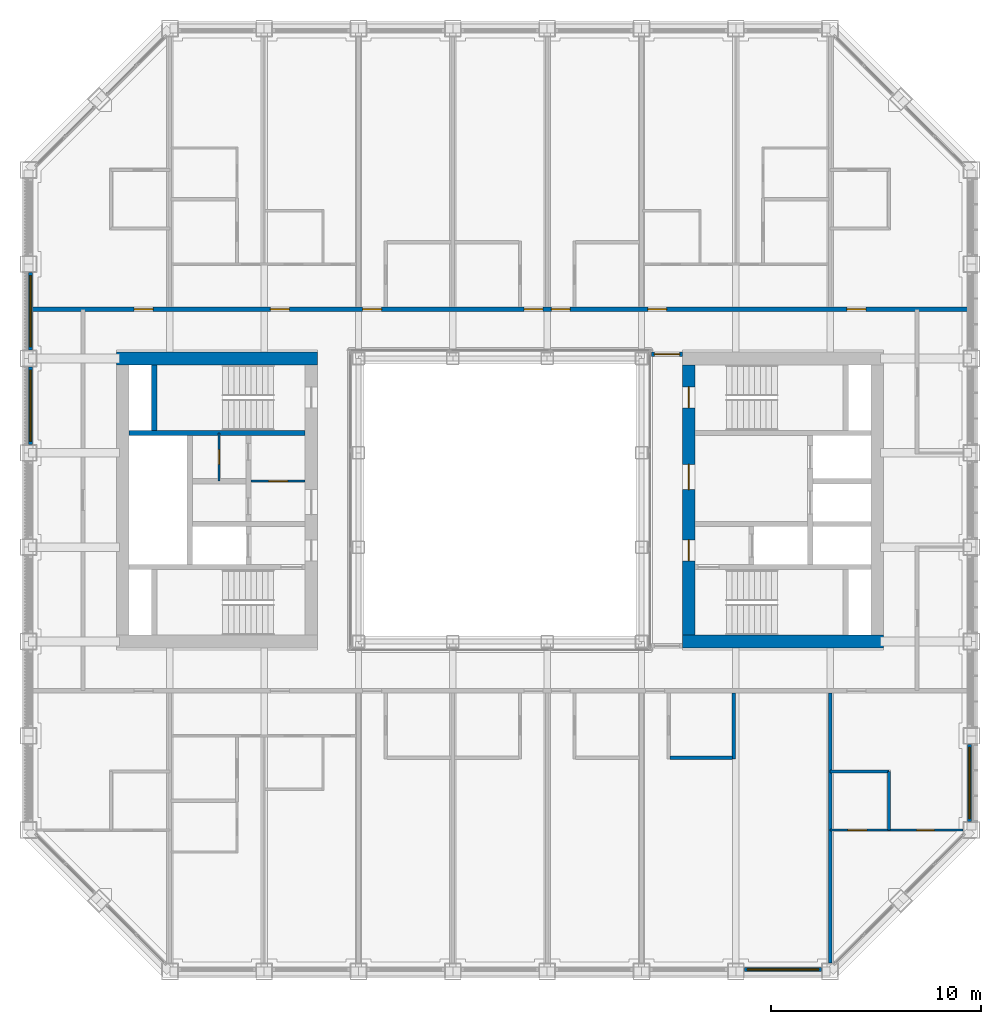
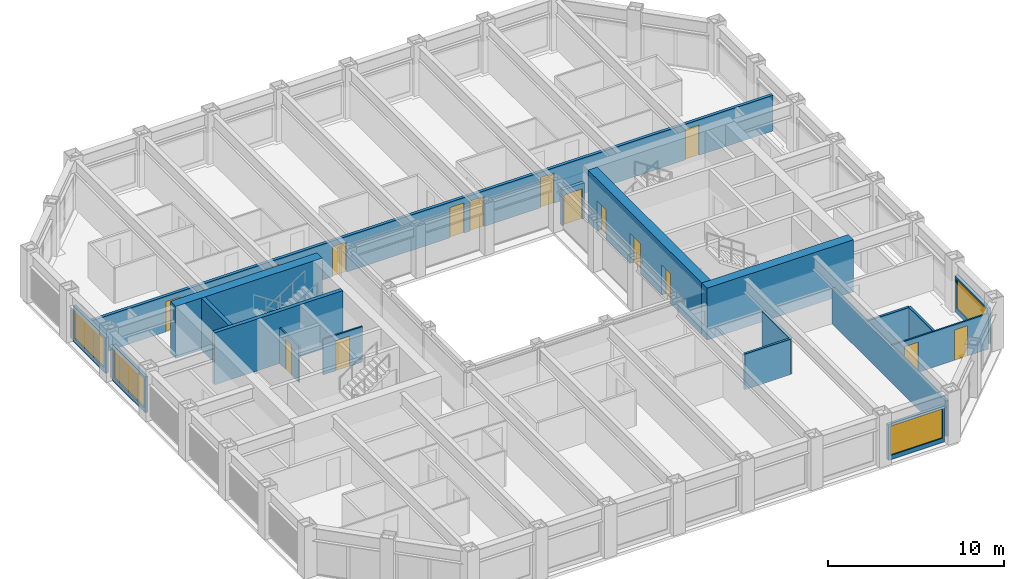
# One storey, part 12 of 18: 19 walls, 15 doors, 4 windows, 19 openings.
"""IFC4 building model written with IfcOpenShell, lengths in metres."""

from ifc_helpers import new_model, si_unit, direction, frame, frame_2d, origin, place, context, subcontext, project, spatial, rectangle, extrude, material, layer, layer_set, type_object, element, fill, save


model = new_model("IFC4")

# Units and contexts
model_context = context("Model", 3, precision=1e-05, world=origin(), true_north=direction((0.0, 1.0)))
body_context = subcontext(model_context, "Body", "Model", "MODEL_VIEW")
ifc_project = project(units=[si_unit("LENGTHUNIT", "METRE"), si_unit("AREAUNIT", "SQUARE_METRE"), si_unit("VOLUMEUNIT", "CUBIC_METRE"), si_unit("PLANEANGLEUNIT", "RADIAN"), si_unit("MASSUNIT", "GRAM", prefix="KILO")], contexts=[model_context])

# Site, building, storey
site_placement = place(None, origin())
site = spatial("IfcSite", under=ifc_project, at=site_placement, CompositionType="ELEMENT")
building_placement = place(site_placement, origin())
building = spatial("IfcBuilding", under=site, at=building_placement, Name="Msasa Ring Tower", CompositionType="ELEMENT")
storey_placement = place(building_placement, frame((0.0, 0.0, 183.199951171875)))
storey = spatial("IfcBuildingStorey", under=building, at=storey_placement, Name="L48", CompositionType="ELEMENT", Elevation=183.199951171875)

# Wall
ifc_material_1 = material(Name="Concrete C60/75", Category="concrete")
ifc_layer_1 = layer(ifc_material_1, 0.60009765625)
ifc_layer_set_1 = layer_set([ifc_layer_1], Name="CW2 CORE WALL 600")
wall_type_1 = type_object("IfcWallType", Name="CW2 CORE WALL 600", PredefinedType="SHEAR", material=ifc_layer_set_1)
wall_1_placement = place(storey_placement, frame((8.699951171875, -6.75, 0.0), z_axis=(0.0, 0.0, 1.0), x_axis=(1.0, 0.0, 0.0)))
element("IfcWall", 1, at=wall_1_placement, inside=storey, type_object=wall_type_1, Name="E core wall S L48", PredefinedType="SHEAR", context=body_context, shape_type="SweptSolid", body=[
    extrude(rectangle(XDim=9.60009765625, YDim=0.60009765625, at=frame_2d((4.800048828125, 0.0))), origin(), (0.0, 0.0, 1.0), 3.60009765625),
])

# Wall, openings, doors
wall_2_placement = place(storey_placement, frame((9.0, -6.449951171875, 0.0), z_axis=(0.0, 0.0, 1.0), x_axis=(0.0, 1.0, 0.0)))
wall_2 = element("IfcWall", 2, at=wall_2_placement, inside=storey, type_object=wall_type_1, Name="E core wall W L48", PredefinedType="SHEAR", context=body_context, shape_type="SweptSolid", body=[
    extrude(rectangle(XDim=12.89990234375, YDim=0.60009765625, at=frame_2d((6.449951171875, 0.0))), origin(), (0.0, 0.0, 1.0), 3.60009765625),
])
opening_1_placement = place(wall_2_placement, frame((3.550048828125, 0.0, 0.0)))
opening_1 = element("IfcOpeningElement", 3, at=opening_1_placement, cuts=wall_2, Name="Opening HG-035", PredefinedType="OPENING", context=body_context, shape_type="SweptSolid", body=[
    extrude(rectangle(XDim=1.0, YDim=2.10009765625, at=frame_2d((0.5, 1.050048828125))), frame((0.0, 0.31005859375, 0.0), z_axis=(0.0, -1.0, 0.0), x_axis=(1.0, 0.0, 0.0)), (0.0, 0.0, 1.0), 0.6201171875),
])
opening_2_placement = place(wall_2_placement, frame((6.949951171875, 0.0, 0.0)))
opening_2 = element("IfcOpeningElement", 4, at=opening_2_placement, cuts=wall_2, Name="Opening HG-029", PredefinedType="OPENING", context=body_context, shape_type="SweptSolid", body=[
    extrude(rectangle(XDim=1.199951171875, YDim=2.10009765625, at=frame_2d((0.60009765625, 1.050048828125))), frame((0.0, 0.31005859375, 0.0), z_axis=(0.0, -1.0, 0.0), x_axis=(1.0, 0.0, 0.0)), (0.0, 0.0, 1.0), 0.6201171875),
])
opening_3_placement = place(wall_2_placement, frame((10.85009765625, 0.0, 0.0)))
opening_3 = element("IfcOpeningElement", 5, at=opening_3_placement, cuts=wall_2, Name="Opening HG-026", PredefinedType="OPENING", context=body_context, shape_type="SweptSolid", body=[
    extrude(rectangle(XDim=1.0, YDim=2.10009765625, at=frame_2d((0.5, 1.050048828125))), frame((0.0, 0.31005859375, 0.0), z_axis=(0.0, -1.0, 0.0), x_axis=(1.0, 0.0, 0.0)), (0.0, 0.0, 1.0), 0.6201171875),
])
ifc_material_2 = material(Name="Timber door leaf in a steel frame", Category="steel")
door_type_1 = type_object("IfcDoorType", Name="D4 LOBBY DOOR 1000x2100", OperationType="SINGLE_SWING_LEFT", PredefinedType="DOOR", material=ifc_material_2)
door_1_placement = place(opening_1_placement, origin())
door_1 = element("IfcDoor", 6, at=door_1_placement, inside=storey, type_object=door_type_1, Name="Door L48-EFFL", OperationType="SINGLE_SWING_LEFT", OverallHeight=2.10009765625, OverallWidth=1.0, PredefinedType="DOOR", context=body_context, shape_type="SweptSolid", body=[
    extrude(rectangle(XDim=1.0, YDim=2.10009765625, at=frame_2d((0.5, 1.050048828125))), frame((0.0, 0.02490234375, 0.0), z_axis=(0.0, -1.0, 0.0), x_axis=(1.0, 0.0, 0.0)), (0.0, 0.0, 1.0), 0.050048828125),
])
fill(opening_1, door_1)
ifc_material_3 = material(Name="Timber door leaf in a steel frame", Category="steel")
door_type_2 = type_object("IfcDoorType", Name="D5 WIDE LOBBY DOOR 1200x2100", OperationType="SINGLE_SWING_LEFT", PredefinedType="DOOR", material=ifc_material_3)
door_2_placement = place(opening_2_placement, origin())
door_2 = element("IfcDoor", 7, at=door_2_placement, inside=storey, type_object=door_type_2, Name="Door L48-ELL", OperationType="SINGLE_SWING_RIGHT", OverallHeight=2.10009765625, OverallWidth=1.199951171875, PredefinedType="DOOR", context=body_context, shape_type="SweptSolid", body=[
    extrude(rectangle(XDim=1.199951171875, YDim=2.10009765625, at=frame_2d((0.60009765625, 1.050048828125))), frame((0.0, 0.02490234375, 0.0), z_axis=(0.0, -1.0, 0.0), x_axis=(1.0, 0.0, 0.0)), (0.0, 0.0, 1.0), 0.050048828125),
])
fill(opening_2, door_2)
ifc_material_4 = material(Name="Timber door leaf in a steel frame", Category="steel")
door_type_3 = type_object("IfcDoorType", Name="D6 STAIR DOOR 1000x2100", OperationType="SINGLE_SWING_LEFT", PredefinedType="DOOR", material=ifc_material_4)
door_3_placement = place(opening_3_placement, origin())
door_3 = element("IfcDoor", 8, at=door_3_placement, inside=storey, type_object=door_type_3, Name="Door L48-ESTB", OperationType="SINGLE_SWING_RIGHT", OverallHeight=2.10009765625, OverallWidth=1.0, PredefinedType="DOOR", context=body_context, shape_type="SweptSolid", body=[
    extrude(rectangle(XDim=1.0, YDim=2.10009765625, at=frame_2d((0.5, 1.050048828125))), frame((0.0, 0.02490234375, 0.0), z_axis=(0.0, -1.0, 0.0), x_axis=(1.0, 0.0, 0.0)), (0.0, 0.0, 1.0), 0.050048828125),
])
fill(opening_3, door_3)

# Walls
wall_3_placement = place(storey_placement, frame((-8.699951171875, 6.75, 0.0), z_axis=(0.0, 0.0, 1.0), x_axis=(-1.0, 0.0, 0.0)))
element("IfcWall", 9, at=wall_3_placement, inside=storey, type_object=wall_type_1, Name="W core wall N L48", PredefinedType="SHEAR", context=body_context, shape_type="SweptSolid", body=[
    extrude(rectangle(XDim=9.60009765625, YDim=0.60009765625, at=frame_2d((4.800048828125, 0.0))), origin(), (0.0, 0.0, 1.0), 3.60009765625),
])
ifc_material_5 = material(Name="Concrete C60/75", Category="concrete")
ifc_layer_2 = layer(ifc_material_5, 0.25)
ifc_layer_set_2 = layer_set([ifc_layer_2], Name="CW4 CORE INNER WALL 250")
wall_type_2 = type_object("IfcWallType", Name="CW4 CORE INNER WALL 250", PredefinedType="SHEAR", material=ifc_layer_set_2)
wall_4_placement = place(storey_placement, frame((-9.300048828125, 3.199951171875, 0.0), z_axis=(0.0, 0.0, 1.0), x_axis=(-1.0, 0.0, 0.0)))
element("IfcWall", 10, at=wall_4_placement, inside=storey, type_object=wall_type_2, Name="W core wall STAIRB L48", PredefinedType="SHEAR", context=body_context, shape_type="SweptSolid", body=[
    extrude(rectangle(XDim=8.39990234375, YDim=0.25, at=frame_2d((4.199951171875, 0.0))), origin(), (0.0, 0.0, 1.0), 3.60009765625),
])
wall_5_placement = place(storey_placement, frame((-16.5, 3.324951171875, 0.0), z_axis=(0.0, 0.0, 1.0), x_axis=(0.0, 1.0, 0.0)))
element("IfcWall", 11, at=wall_5_placement, inside=storey, type_object=wall_type_2, Name="W core wall RISERB L48", PredefinedType="SHEAR", context=body_context, shape_type="SweptSolid", body=[
    extrude(rectangle(XDim=3.125, YDim=0.25, at=frame_2d((1.5625, 0.0))), origin(), (0.0, 0.0, 1.0), 3.60009765625),
])

# Wall, opening, window
ifc_material_6 = material(Name="Terracotta rainscreen on blockwork", Category="masonry")
ifc_layer_3 = layer(ifc_material_6, 0.199951171875)
ifc_layer_set_3 = layer_set([ifc_layer_3], Name="FW1 TERRACOTTA-LINED INFILL BAY WALL 200")
wall_type_3 = type_object("IfcWallType", Name="FW1 TERRACOTTA-LINED INFILL BAY WALL 200", PredefinedType="SOLIDWALL", material=ifc_layer_set_3)
wall_6_placement = place(storey_placement, frame((11.655029296875, -22.39990234375, 0.0), z_axis=(0.0, 0.0, 1.0), x_axis=(1.0, 0.0, 0.0)))
wall_6 = element("IfcWall", 12, at=wall_6_placement, inside=storey, type_object=wall_type_3, Name="Infill bay wall S L48 06", PredefinedType="SOLIDWALL", context=body_context, shape_type="SweptSolid", body=[
    extrude(rectangle(XDim=3.68994140625, YDim=0.199951171875, at=frame_2d((1.844970703125, 0.0))), origin(), (0.0, 0.0, 1.0), 2.47900390625),
])
opening_4_placement = place(wall_6_placement, frame((0.14501953125, 0.0, 0.300048828125)))
opening_4 = element("IfcOpeningElement", 13, at=opening_4_placement, cuts=wall_6, Name="Opening WN2", PredefinedType="OPENING", context=body_context, shape_type="SweptSolid", body=[
    extrude(rectangle(XDim=3.39990234375, YDim=2.029052734375, at=frame_2d((1.699951171875, 1.0146484375))), frame((0.0, 0.10986328125, 0.0), z_axis=(0.0, -1.0, 0.0), x_axis=(1.0, 0.0, 0.0)), (0.0, 0.0, 1.0), 0.219970703125),
])
ifc_material_7 = material(Name="Aluminium frame with clear glass", Category="aluminium")
window_type = type_object("IfcWindowType", Name="WN2 GUEST ROOM WINDOW 3400x2029", PartitioningType="SINGLE_PANEL", PredefinedType="WINDOW", material=ifc_material_7)
window_1_placement = place(opening_4_placement, origin())
window_1 = element("IfcWindow", 14, at=window_1_placement, inside=storey, type_object=window_type, Name="Window S L48 06", OverallHeight=2.029052734375, OverallWidth=3.39990234375, PartitioningType="SINGLE_PANEL", PredefinedType="WINDOW", context=body_context, shape_type="SweptSolid", body=[
    extrude(rectangle(XDim=3.39990234375, YDim=2.029052734375, at=frame_2d((1.699951171875, 1.0146484375))), frame((0.0, 0.030029296875, 0.0), z_axis=(0.0, -1.0, 0.0), x_axis=(1.0, 0.0, 0.0)), (0.0, 0.0, 1.0), 0.06005859375),
])
fill(opening_4, window_1)

wall_7_placement = place(storey_placement, frame((22.39990234375, -15.344970703125, 0.0), z_axis=(0.0, 0.0, 1.0), x_axis=(0.0, 1.0, 0.0)))
wall_7 = element("IfcWall", 15, at=wall_7_placement, inside=storey, type_object=wall_type_3, Name="Infill bay wall E L48 09", PredefinedType="SOLIDWALL", context=body_context, shape_type="SweptSolid", body=[
    extrude(rectangle(XDim=3.68994140625, YDim=0.199951171875, at=frame_2d((1.844970703125, 0.0))), origin(), (0.0, 0.0, 1.0), 2.47900390625),
])
opening_5_placement = place(wall_7_placement, frame((0.14501953125, 0.0, 0.300048828125)))
opening_5 = element("IfcOpeningElement", 16, at=opening_5_placement, cuts=wall_7, Name="Opening WN2", PredefinedType="OPENING", context=body_context, shape_type="SweptSolid", body=[
    extrude(rectangle(XDim=3.39990234375, YDim=2.029052734375, at=frame_2d((1.699951171875, 1.0146484375))), frame((0.0, 0.10986328125, 0.0), z_axis=(0.0, -1.0, 0.0), x_axis=(1.0, 0.0, 0.0)), (0.0, 0.0, 1.0), 0.219970703125),
])
window_2_placement = place(opening_5_placement, origin())
window_2 = element("IfcWindow", 17, at=window_2_placement, inside=storey, type_object=window_type, Name="Window E L48 09", OverallHeight=2.029052734375, OverallWidth=3.39990234375, PartitioningType="SINGLE_PANEL", PredefinedType="WINDOW", context=body_context, shape_type="SweptSolid", body=[
    extrude(rectangle(XDim=3.39990234375, YDim=2.029052734375, at=frame_2d((1.699951171875, 1.0146484375))), frame((0.0, 0.030029296875, 0.0), z_axis=(0.0, -1.0, 0.0), x_axis=(1.0, 0.0, 0.0)), (0.0, 0.0, 1.0), 0.06005859375),
])
fill(opening_5, window_2)

wall_8_placement = place(storey_placement, frame((-22.39990234375, 2.655029296875, 0.0), z_axis=(0.0, 0.0, 1.0), x_axis=(0.0, 1.0, 0.0)))
wall_8 = element("IfcWall", 18, at=wall_8_placement, inside=storey, type_object=wall_type_3, Name="Infill bay wall W L48 31", PredefinedType="SOLIDWALL", context=body_context, shape_type="SweptSolid", body=[
    extrude(rectangle(XDim=3.68994140625, YDim=0.199951171875, at=frame_2d((1.844970703125, 0.0))), origin(), (0.0, 0.0, 1.0), 2.47900390625),
])
opening_6_placement = place(wall_8_placement, frame((0.14501953125, 0.0, 0.300048828125)))
opening_6 = element("IfcOpeningElement", 19, at=opening_6_placement, cuts=wall_8, Name="Opening WN2", PredefinedType="OPENING", context=body_context, shape_type="SweptSolid", body=[
    extrude(rectangle(XDim=3.39990234375, YDim=2.029052734375, at=frame_2d((1.699951171875, 1.0146484375))), frame((0.0, 0.10986328125, 0.0), z_axis=(0.0, -1.0, 0.0), x_axis=(1.0, 0.0, 0.0)), (0.0, 0.0, 1.0), 0.219970703125),
])
window_3_placement = place(opening_6_placement, origin())
window_3 = element("IfcWindow", 20, at=window_3_placement, inside=storey, type_object=window_type, Name="Window W L48 31", OverallHeight=2.029052734375, OverallWidth=3.39990234375, PartitioningType="SINGLE_PANEL", PredefinedType="WINDOW", context=body_context, shape_type="SweptSolid", body=[
    extrude(rectangle(XDim=3.39990234375, YDim=2.029052734375, at=frame_2d((1.699951171875, 1.0146484375))), frame((0.0, 0.030029296875, 0.0), z_axis=(0.0, -1.0, 0.0), x_axis=(1.0, 0.0, 0.0)), (0.0, 0.0, 1.0), 0.06005859375),
])
fill(opening_6, window_3)

wall_9_placement = place(storey_placement, frame((-22.39990234375, 7.155029296875, 0.0), z_axis=(0.0, 0.0, 1.0), x_axis=(0.0, 1.0, 0.0)))
wall_9 = element("IfcWall", 21, at=wall_9_placement, inside=storey, type_object=wall_type_3, Name="Infill bay wall W L48 32", PredefinedType="SOLIDWALL", context=body_context, shape_type="SweptSolid", body=[
    extrude(rectangle(XDim=3.68994140625, YDim=0.199951171875, at=frame_2d((1.844970703125, 0.0))), origin(), (0.0, 0.0, 1.0), 2.47900390625),
])
opening_7_placement = place(wall_9_placement, frame((0.14501953125, 0.0, 0.300048828125)))
opening_7 = element("IfcOpeningElement", 22, at=opening_7_placement, cuts=wall_9, Name="Opening WN2", PredefinedType="OPENING", context=body_context, shape_type="SweptSolid", body=[
    extrude(rectangle(XDim=3.39990234375, YDim=2.029052734375, at=frame_2d((1.699951171875, 1.0146484375))), frame((0.0, 0.10986328125, 0.0), z_axis=(0.0, -1.0, 0.0), x_axis=(1.0, 0.0, 0.0)), (0.0, 0.0, 1.0), 0.219970703125),
])
window_4_placement = place(opening_7_placement, origin())
window_4 = element("IfcWindow", 23, at=window_4_placement, inside=storey, type_object=window_type, Name="Window W L48 32", OverallHeight=2.029052734375, OverallWidth=3.39990234375, PartitioningType="SINGLE_PANEL", PredefinedType="WINDOW", context=body_context, shape_type="SweptSolid", body=[
    extrude(rectangle(XDim=3.39990234375, YDim=2.029052734375, at=frame_2d((1.699951171875, 1.0146484375))), frame((0.0, 0.030029296875, 0.0), z_axis=(0.0, -1.0, 0.0), x_axis=(1.0, 0.0, 0.0)), (0.0, 0.0, 1.0), 0.06005859375),
])
fill(opening_7, window_4)

# Wall, opening, door
ifc_material_8 = material(Name="Concrete blockwork", Category="masonry")
ifc_layer_4 = layer(ifc_material_8, 0.199951171875)
ifc_layer_set_4 = layer_set([ifc_layer_4], Name="PT1 CORRIDOR WALL 200")
wall_type_4 = type_object("IfcWallType", Name="PT1 CORRIDOR WALL 200", PredefinedType="PARTITIONING", material=ifc_layer_set_4)
wall_10_placement = place(storey_placement, frame((7.22998046875, 6.949951171875, 0.0), z_axis=(0.0, 0.0, 1.0), x_axis=(1.0, 0.0, 0.0)))
wall_10 = element("IfcWall", 24, at=wall_10_placement, inside=storey, type_object=wall_type_4, Name="Corridor wall L48-SDEN", PredefinedType="PARTITIONING", context=body_context, shape_type="SweptSolid", body=[
    extrude(rectangle(XDim=1.469970703125, YDim=0.199951171875, at=frame_2d((0.73486328125, 0.0))), origin(), (0.0, 0.0, 1.0), 2.473388671875),
])
opening_8_placement = place(wall_10_placement, frame((0.135009765625, 0.0, 0.0)))
opening_8 = element("IfcOpeningElement", 25, at=opening_8_placement, cuts=wall_10, Name="Opening HG-023", PredefinedType="OPENING", context=body_context, shape_type="SweptSolid", body=[
    extrude(rectangle(XDim=1.199951171875, YDim=2.10009765625, at=frame_2d((0.60009765625, 1.050048828125))), frame((0.0, 0.10986328125, 0.0), z_axis=(0.0, -1.0, 0.0), x_axis=(1.0, 0.0, 0.0)), (0.0, 0.0, 1.0), 0.219970703125),
])
ifc_material_9 = material(Name="Timber door leaf in a steel frame", Category="steel")
door_type_4 = type_object("IfcDoorType", Name="D25 CORRIDOR PAIR OF SMOKE DOORS 1200x2100", OperationType="DOUBLE_DOOR_DOUBLE_SWING", PredefinedType="DOOR", material=ifc_material_9)
door_4_placement = place(opening_8_placement, origin())
door_4 = element("IfcDoor", 26, at=door_4_placement, inside=storey, type_object=door_type_4, Name="Door L48-SDEN", OperationType="DOUBLE_DOOR_DOUBLE_SWING", OverallHeight=2.10009765625, OverallWidth=1.199951171875, PredefinedType="DOOR", context=body_context, shape_type="SweptSolid", body=[
    extrude(rectangle(XDim=1.199951171875, YDim=2.10009765625, at=frame_2d((0.60009765625, 1.050048828125))), frame((0.0, 0.02490234375, 0.0), z_axis=(0.0, -1.0, 0.0), x_axis=(1.0, 0.0, 0.0)), (0.0, 0.0, 1.0), 0.050048828125),
])
fill(opening_8, door_4)

# Wall, openings, doors
wall_11_placement = place(storey_placement, frame((-22.300048828125, 9.10009765625, 0.0), z_axis=(0.0, 0.0, 1.0), x_axis=(1.0, 0.0, 0.0)))
wall_11 = element("IfcWall", 27, at=wall_11_placement, inside=storey, type_object=wall_type_4, Name="Corridor wall L48-CORRN0", PredefinedType="PARTITIONING", context=body_context, shape_type="SweptSolid", body=[
    extrude(rectangle(XDim=44.60009765625, YDim=0.199951171875, at=frame_2d((22.300048828125, 0.0))), origin(), (0.0, 0.0, 1.0), 2.473388671875),
])
opening_9_placement = place(wall_11_placement, frame((11.35009765625, 0.0, 0.0)))
opening_9 = element("IfcOpeningElement", 28, at=opening_9_placement, cuts=wall_11, Name="Opening HG-017", PredefinedType="OPENING", context=body_context, shape_type="SweptSolid", body=[
    extrude(rectangle(XDim=0.89990234375, YDim=2.10009765625, at=frame_2d((0.449951171875, 1.050048828125))), frame((0.0, 0.10986328125, 0.0), z_axis=(0.0, -1.0, 0.0), x_axis=(1.0, 0.0, 0.0)), (0.0, 0.0, 1.0), 0.219970703125),
])
opening_10_placement = place(wall_11_placement, frame((15.75, 0.0, 0.0)))
opening_10 = element("IfcOpeningElement", 29, at=opening_10_placement, cuts=wall_11, Name="Opening HG-018", PredefinedType="OPENING", context=body_context, shape_type="SweptSolid", body=[
    extrude(rectangle(XDim=0.89990234375, YDim=2.10009765625, at=frame_2d((0.449951171875, 1.050048828125))), frame((0.0, 0.10986328125, 0.0), z_axis=(0.0, -1.0, 0.0), x_axis=(1.0, 0.0, 0.0)), (0.0, 0.0, 1.0), 0.219970703125),
])
opening_11_placement = place(wall_11_placement, frame((23.449951171875, 0.0, 0.0)))
opening_11 = element("IfcOpeningElement", 30, at=opening_11_placement, cuts=wall_11, Name="Opening HG-019", PredefinedType="OPENING", context=body_context, shape_type="SweptSolid", body=[
    extrude(rectangle(XDim=0.89990234375, YDim=2.10009765625, at=frame_2d((0.449951171875, 1.050048828125))), frame((0.0, 0.10986328125, 0.0), z_axis=(0.0, -1.0, 0.0), x_axis=(1.0, 0.0, 0.0)), (0.0, 0.0, 1.0), 0.219970703125),
])
opening_12_placement = place(wall_11_placement, frame((24.75, 0.0, 0.0)))
opening_12 = element("IfcOpeningElement", 31, at=opening_12_placement, cuts=wall_11, Name="Opening HG-020", PredefinedType="OPENING", context=body_context, shape_type="SweptSolid", body=[
    extrude(rectangle(XDim=0.89990234375, YDim=2.10009765625, at=frame_2d((0.449951171875, 1.050048828125))), frame((0.0, 0.10986328125, 0.0), z_axis=(0.0, -1.0, 0.0), x_axis=(1.0, 0.0, 0.0)), (0.0, 0.0, 1.0), 0.219970703125),
])
opening_13_placement = place(wall_11_placement, frame((29.35009765625, 0.0, 0.0)))
opening_13 = element("IfcOpeningElement", 32, at=opening_13_placement, cuts=wall_11, Name="Opening HG-021", PredefinedType="OPENING", context=body_context, shape_type="SweptSolid", body=[
    extrude(rectangle(XDim=0.89990234375, YDim=2.10009765625, at=frame_2d((0.449951171875, 1.050048828125))), frame((0.0, 0.10986328125, 0.0), z_axis=(0.0, -1.0, 0.0), x_axis=(1.0, 0.0, 0.0)), (0.0, 0.0, 1.0), 0.219970703125),
])
opening_14_placement = place(wall_11_placement, frame((38.85009765625, 0.0, 0.0)))
opening_14 = element("IfcOpeningElement", 33, at=opening_14_placement, cuts=wall_11, Name="Opening HG-022", PredefinedType="OPENING", context=body_context, shape_type="SweptSolid", body=[
    extrude(rectangle(XDim=0.89990234375, YDim=2.10009765625, at=frame_2d((0.449951171875, 1.050048828125))), frame((0.0, 0.10986328125, 0.0), z_axis=(0.0, -1.0, 0.0), x_axis=(1.0, 0.0, 0.0)), (0.0, 0.0, 1.0), 0.219970703125),
])
opening_15_placement = place(wall_11_placement, frame((4.85009765625, 0.0, 0.0)))
opening_15 = element("IfcOpeningElement", 34, at=opening_15_placement, cuts=wall_11, Name="Opening HG-016", PredefinedType="OPENING", context=body_context, shape_type="SweptSolid", body=[
    extrude(rectangle(XDim=0.89990234375, YDim=2.10009765625, at=frame_2d((0.449951171875, 1.050048828125))), frame((0.0, 0.10986328125, 0.0), z_axis=(0.0, -1.0, 0.0), x_axis=(1.0, 0.0, 0.0)), (0.0, 0.0, 1.0), 0.219970703125),
])
ifc_material_10 = material(Name="Timber door leaf in a steel frame", Category="steel")
door_type_5 = type_object("IfcDoorType", Name="D1 SINGLE DOOR TO CORRIDOR 900x2100", OperationType="SINGLE_SWING_LEFT", PredefinedType="DOOR", material=ifc_material_10)
door_5_placement = place(opening_10_placement, origin())
door_5 = element("IfcDoor", 35, at=door_5_placement, inside=storey, type_object=door_type_5, Name="Door L48-GN01", OperationType="SINGLE_SWING_LEFT", OverallHeight=2.10009765625, OverallWidth=0.89990234375, PredefinedType="DOOR", context=body_context, shape_type="SweptSolid", body=[
    extrude(rectangle(XDim=0.89990234375, YDim=2.10009765625, at=frame_2d((0.449951171875, 1.050048828125))), frame((0.0, 0.02490234375, 0.0), z_axis=(0.0, -1.0, 0.0), x_axis=(1.0, 0.0, 0.0)), (0.0, 0.0, 1.0), 0.050048828125),
])
fill(opening_10, door_5)
door_6_placement = place(opening_11_placement, origin())
door_6 = element("IfcDoor", 36, at=door_6_placement, inside=storey, type_object=door_type_5, Name="Door L48-GN02", OperationType="SINGLE_SWING_RIGHT", OverallHeight=2.10009765625, OverallWidth=0.89990234375, PredefinedType="DOOR", context=body_context, shape_type="SweptSolid", body=[
    extrude(rectangle(XDim=0.89990234375, YDim=2.10009765625, at=frame_2d((0.449951171875, 1.050048828125))), frame((0.0, 0.02490234375, 0.0), z_axis=(0.0, -1.0, 0.0), x_axis=(1.0, 0.0, 0.0)), (0.0, 0.0, 1.0), 0.050048828125),
])
fill(opening_11, door_6)
door_7_placement = place(opening_12_placement, origin())
door_7 = element("IfcDoor", 37, at=door_7_placement, inside=storey, type_object=door_type_5, Name="Door L48-GN03", OperationType="SINGLE_SWING_RIGHT", OverallHeight=2.10009765625, OverallWidth=0.89990234375, PredefinedType="DOOR", context=body_context, shape_type="SweptSolid", body=[
    extrude(rectangle(XDim=0.89990234375, YDim=2.10009765625, at=frame_2d((0.449951171875, 1.050048828125))), frame((0.0, 0.02490234375, 0.0), z_axis=(0.0, -1.0, 0.0), x_axis=(1.0, 0.0, 0.0)), (0.0, 0.0, 1.0), 0.050048828125),
])
fill(opening_12, door_7)
ifc_material_11 = material(Name="Timber door leaf in a steel frame", Category="steel")
door_type_6 = type_object("IfcDoorType", Name="D2 ENTRANCE DOOR 900x2100", OperationType="SINGLE_SWING_LEFT", PredefinedType="DOOR", material=ifc_material_11)
door_8_placement = place(opening_9_placement, origin())
door_8 = element("IfcDoor", 38, at=door_8_placement, inside=storey, type_object=door_type_6, Name="Door L48-GN00", OperationType="SINGLE_SWING_LEFT", OverallHeight=2.10009765625, OverallWidth=0.89990234375, PredefinedType="DOOR", context=body_context, shape_type="SweptSolid", body=[
    extrude(rectangle(XDim=0.89990234375, YDim=2.10009765625, at=frame_2d((0.449951171875, 1.050048828125))), frame((0.0, 0.02490234375, 0.0), z_axis=(0.0, -1.0, 0.0), x_axis=(1.0, 0.0, 0.0)), (0.0, 0.0, 1.0), 0.050048828125),
])
fill(opening_9, door_8)
door_9_placement = place(opening_13_placement, origin())
door_9 = element("IfcDoor", 39, at=door_9_placement, inside=storey, type_object=door_type_6, Name="Door L48-GN04", OperationType="SINGLE_SWING_RIGHT", OverallHeight=2.10009765625, OverallWidth=0.89990234375, PredefinedType="DOOR", context=body_context, shape_type="SweptSolid", body=[
    extrude(rectangle(XDim=0.89990234375, YDim=2.10009765625, at=frame_2d((0.449951171875, 1.050048828125))), frame((0.0, 0.02490234375, 0.0), z_axis=(0.0, -1.0, 0.0), x_axis=(1.0, 0.0, 0.0)), (0.0, 0.0, 1.0), 0.050048828125),
])
fill(opening_13, door_9)
door_10_placement = place(opening_14_placement, origin())
door_10 = element("IfcDoor", 40, at=door_10_placement, inside=storey, type_object=door_type_6, Name="Door L48-CSNE", OperationType="SINGLE_SWING_RIGHT", OverallHeight=2.10009765625, OverallWidth=0.89990234375, PredefinedType="DOOR", context=body_context, shape_type="SweptSolid", body=[
    extrude(rectangle(XDim=0.89990234375, YDim=2.10009765625, at=frame_2d((0.449951171875, 1.050048828125))), frame((0.0, 0.02490234375, 0.0), z_axis=(0.0, -1.0, 0.0), x_axis=(1.0, 0.0, 0.0)), (0.0, 0.0, 1.0), 0.050048828125),
])
fill(opening_14, door_10)
door_11_placement = place(opening_15_placement, origin())
door_11 = element("IfcDoor", 41, at=door_11_placement, inside=storey, type_object=door_type_6, Name="Door L48-CSNW", OperationType="SINGLE_SWING_LEFT", OverallHeight=2.10009765625, OverallWidth=0.89990234375, PredefinedType="DOOR", context=body_context, shape_type="SweptSolid", body=[
    extrude(rectangle(XDim=0.89990234375, YDim=2.10009765625, at=frame_2d((0.449951171875, 1.050048828125))), frame((0.0, 0.02490234375, 0.0), z_axis=(0.0, -1.0, 0.0), x_axis=(1.0, 0.0, 0.0)), (0.0, 0.0, 1.0), 0.050048828125),
])
fill(opening_15, door_11)

ifc_material_12 = material(Name="Gypsum board on steel studs", Category="steel")
ifc_layer_5 = layer(ifc_material_12, 0.10009765625)
ifc_layer_set_5 = layer_set([ifc_layer_5], Name="PT2 STUD PARTITION 100")
wall_type_5 = type_object("IfcWallType", Name="PT2 STUD PARTITION 100", PredefinedType="PARTITIONING", material=ifc_layer_set_5)
wall_12_placement = place(storey_placement, frame((15.75, -15.75, 0.0), z_axis=(0.0, 0.0, 1.0), x_axis=(1.0, 0.0, 0.0)))
wall_12 = element("IfcWall", 42, at=wall_12_placement, inside=storey, type_object=wall_type_5, Name="Partition L48-CSSEX", PredefinedType="PARTITIONING", context=body_context, shape_type="SweptSolid", body=[
    extrude(rectangle(XDim=6.35009765625, YDim=0.10009765625, at=frame_2d((3.175048828125, 0.0))), origin(), (0.0, 0.0, 1.0), 2.473388671875),
])
opening_16_placement = place(wall_12_placement, frame((4.125, 0.0, 0.0)))
opening_16 = element("IfcOpeningElement", 43, at=opening_16_placement, cuts=wall_12, Name="Opening HG-059", PredefinedType="OPENING", context=body_context, shape_type="SweptSolid", body=[
    extrude(rectangle(XDim=0.85009765625, YDim=2.10009765625, at=frame_2d((0.425048828125, 1.050048828125))), frame((0.0, 0.06005859375, 0.0), z_axis=(0.0, -1.0, 0.0), x_axis=(1.0, 0.0, 0.0)), (0.0, 0.0, 1.0), 0.1201171875),
])
opening_17_placement = place(wall_12_placement, frame((0.85009765625, 0.0, 0.0)))
opening_17 = element("IfcOpeningElement", 44, at=opening_17_placement, cuts=wall_12, Name="Opening HG-058", PredefinedType="OPENING", context=body_context, shape_type="SweptSolid", body=[
    extrude(rectangle(XDim=0.89990234375, YDim=2.10009765625, at=frame_2d((0.449951171875, 1.050048828125))), frame((0.0, 0.06005859375, 0.0), z_axis=(0.0, -1.0, 0.0), x_axis=(1.0, 0.0, 0.0)), (0.0, 0.0, 1.0), 0.1201171875),
])
ifc_material_13 = material(Name="Timber door leaf in a steel frame", Category="steel")
door_type_7 = type_object("IfcDoorType", Name="D14 BEDROOM DOOR 850x2100", OperationType="SINGLE_SWING_LEFT", PredefinedType="DOOR", material=ifc_material_13)
door_12_placement = place(opening_16_placement, origin())
door_12 = element("IfcDoor", 45, at=door_12_placement, inside=storey, type_object=door_type_7, Name="Door L48-CSSER1", OperationType="SINGLE_SWING_RIGHT", OverallHeight=2.10009765625, OverallWidth=0.85009765625, PredefinedType="DOOR", context=body_context, shape_type="SweptSolid", body=[
    extrude(rectangle(XDim=0.85009765625, YDim=2.10009765625, at=frame_2d((0.425048828125, 1.050048828125))), frame((0.0, 0.02490234375, 0.0), z_axis=(0.0, -1.0, 0.0), x_axis=(1.0, 0.0, 0.0)), (0.0, 0.0, 1.0), 0.050048828125),
])
fill(opening_16, door_12)
ifc_material_14 = material(Name="Timber door leaf in a steel frame", Category="steel")
door_type_8 = type_object("IfcDoorType", Name="D3 BATHROOM DOOR 900x2100", OperationType="SINGLE_SWING_LEFT", PredefinedType="DOOR", material=ifc_material_14)
door_13_placement = place(opening_17_placement, origin())
door_13 = element("IfcDoor", 46, at=door_13_placement, inside=storey, type_object=door_type_8, Name="Door L48-CSSEB1", OperationType="SINGLE_SWING_LEFT", OverallHeight=2.10009765625, OverallWidth=0.89990234375, PredefinedType="DOOR", context=body_context, shape_type="SweptSolid", body=[
    extrude(rectangle(XDim=0.89990234375, YDim=2.10009765625, at=frame_2d((0.449951171875, 1.050048828125))), frame((0.0, 0.02490234375, 0.0), z_axis=(0.0, -1.0, 0.0), x_axis=(1.0, 0.0, 0.0)), (0.0, 0.0, 1.0), 0.050048828125),
])
fill(opening_17, door_13)

# Wall, opening, door
wall_13_placement = place(storey_placement, frame((-11.875, 0.89990234375, 0.0), z_axis=(0.0, 0.0, 1.0), x_axis=(1.0, 0.0, 0.0)))
wall_13 = element("IfcWall", 47, at=wall_13_placement, inside=storey, type_object=wall_type_5, Name="Partition L48-WCP", PredefinedType="PARTITIONING", context=body_context, shape_type="SweptSolid", body=[
    extrude(rectangle(XDim=2.574951171875, YDim=0.10009765625, at=frame_2d((1.28759765625, 0.0))), origin(), (0.0, 0.0, 1.0), 2.473388671875),
])
opening_18_placement = place(wall_13_placement, frame((0.83740234375, 0.0, 0.0)))
opening_18 = element("IfcOpeningElement", 48, at=opening_18_placement, cuts=wall_13, Name="Opening HG-030", PredefinedType="OPENING", context=body_context, shape_type="SweptSolid", body=[
    extrude(rectangle(XDim=0.89990234375, YDim=2.10009765625, at=frame_2d((0.449951171875, 1.050048828125))), frame((0.0, 0.06005859375, 0.0), z_axis=(0.0, -1.0, 0.0), x_axis=(1.0, 0.0, 0.0)), (0.0, 0.0, 1.0), 0.1201171875),
])
ifc_material_15 = material(Name="Timber door leaf in a steel frame", Category="steel")
door_type_9 = type_object("IfcDoorType", Name="D22 INTERNAL HALL DOOR 900x2100", OperationType="SINGLE_SWING_LEFT", PredefinedType="DOOR", material=ifc_material_15)
door_14_placement = place(opening_18_placement, origin())
door_14 = element("IfcDoor", 49, at=door_14_placement, inside=storey, type_object=door_type_9, Name="Door L48-WCP", OperationType="SINGLE_SWING_LEFT", OverallHeight=2.10009765625, OverallWidth=0.89990234375, PredefinedType="DOOR", context=body_context, shape_type="SweptSolid", body=[
    extrude(rectangle(XDim=0.89990234375, YDim=2.10009765625, at=frame_2d((0.449951171875, 1.050048828125))), frame((0.0, 0.02490234375, 0.0), z_axis=(0.0, -1.0, 0.0), x_axis=(1.0, 0.0, 0.0)), (0.0, 0.0, 1.0), 0.050048828125),
])
fill(opening_18, door_14)

wall_14_placement = place(storey_placement, frame((-13.39990234375, 0.89990234375, 0.0), z_axis=(0.0, 0.0, 1.0), x_axis=(0.0, 1.0, 0.0)))
wall_14 = element("IfcWall", 50, at=wall_14_placement, inside=storey, type_object=wall_type_5, Name="Partition L48-WRP2", PredefinedType="PARTITIONING", context=body_context, shape_type="SweptSolid", body=[
    extrude(rectangle(XDim=2.300048828125, YDim=0.10009765625, at=frame_2d((1.14990234375, 0.0))), origin(), (0.0, 0.0, 1.0), 2.473388671875),
])
opening_19_placement = place(wall_14_placement, frame((0.800048828125, 0.0, 0.0)))
opening_19 = element("IfcOpeningElement", 51, at=opening_19_placement, cuts=wall_14, Name="Opening HG-028", PredefinedType="OPENING", context=body_context, shape_type="SweptSolid", body=[
    extrude(rectangle(XDim=0.699951171875, YDim=2.10009765625, at=frame_2d((0.35009765625, 1.050048828125))), frame((0.0, 0.06005859375, 0.0), z_axis=(0.0, -1.0, 0.0), x_axis=(1.0, 0.0, 0.0)), (0.0, 0.0, 1.0), 0.1201171875),
])
ifc_material_16 = material(Name="Timber door leaf in a steel frame", Category="steel")
door_type_10 = type_object("IfcDoorType", Name="D32 INTERNAL NARROW STORE DOOR 700x2100", OperationType="SINGLE_SWING_LEFT", PredefinedType="DOOR", material=ifc_material_16)
door_15_placement = place(opening_19_placement, origin())
door_15 = element("IfcDoor", 52, at=door_15_placement, inside=storey, type_object=door_type_10, Name="Door L48-WRC2", OperationType="SINGLE_SWING_LEFT", OverallHeight=2.10009765625, OverallWidth=0.699951171875, PredefinedType="DOOR", context=body_context, shape_type="SweptSolid", body=[
    extrude(rectangle(XDim=0.699951171875, YDim=2.10009765625, at=frame_2d((0.35009765625, 1.050048828125))), frame((0.0, 0.02490234375, 0.0), z_axis=(0.0, -1.0, 0.0), x_axis=(1.0, 0.0, 0.0)), (0.0, 0.0, 1.0), 0.050048828125),
])
fill(opening_19, door_15)

# Walls
ifc_material_17 = material(Name="Moisture-resistant board on steel studs with a concealed cistern and pipe void, tiled", Category="steel")
ifc_layer_6 = layer(ifc_material_17, 0.14990234375)
ifc_layer_set_6 = layer_set([ifc_layer_6], Name="PT4 BATHROOM WET WALL 150")
wall_type_6 = type_object("IfcWallType", Name="PT4 BATHROOM WET WALL 150", PredefinedType="PARTITIONING", material=ifc_layer_set_6)
wall_15_placement = place(storey_placement, frame((11.14990234375, -12.35009765625, 0.0), z_axis=(0.0, 0.0, 1.0), x_axis=(0.0, 1.0, 0.0)))
element("IfcWall", 53, at=wall_15_placement, inside=storey, type_object=wall_type_6, Name="Partition L48-GS04BF", PredefinedType="PARTITIONING", context=body_context, shape_type="SweptSolid", body=[
    extrude(rectangle(XDim=3.150146484375, YDim=0.14990234375, at=frame_2d((1.5751953125, 0.0))), origin(), (0.0, 0.0, 1.0), 2.473388671875),
])
wall_16_placement = place(storey_placement, frame((8.10009765625, -12.300048828125, 0.0), z_axis=(0.0, 0.0, 1.0), x_axis=(1.0, 0.0, 0.0)))
element("IfcWall", 54, at=wall_16_placement, inside=storey, type_object=wall_type_6, Name="Partition L48-GS04BY", PredefinedType="PARTITIONING", context=body_context, shape_type="SweptSolid", body=[
    extrude(rectangle(XDim=3.0, YDim=0.14990234375, at=frame_2d((1.5, 0.0))), origin(), (0.0, 0.0, 1.0), 2.473388671875),
])
for number, where, z_axis, x_axis, name in (
    (55, (18.550048828125, -15.75, 0.0), (0.0, 0.0, 1.0), (0.0, 1.0, 0.0), "Partition L48-CSSEBX"),
    (56, (15.75, -12.949951171875, 0.0), (0.0, 0.0, 1.0), (1.0, 0.0, 0.0), "Partition L48-CSSEBY"),
):
    element("IfcWall", number, at=place(storey_placement, frame(where, z_axis=z_axis, x_axis=x_axis)), inside=storey, type_object=wall_type_6, Name=name, PredefinedType="PARTITIONING", context=body_context, shape_type="SweptSolid", body=[
        extrude(rectangle(XDim=2.800048828125, YDim=0.14990234375, at=frame_2d((1.39990234375, 0.0))), origin(), (0.0, 0.0, 1.0), 2.473388671875),
    ])
ifc_material_18 = material(Name="Twin steel studs, two layers of acoustic board each face, mineral wool", Category="steel")
ifc_layer_7 = layer(ifc_material_18, 0.175048828125)
ifc_layer_set_7 = layer_set([ifc_layer_7], Name="PT5 GUEST ROOM SEPARATING WALL 175")
wall_type_7 = type_object("IfcWallType", Name="PT5 GUEST ROOM SEPARATING WALL 175", PredefinedType="PARTITIONING", material=ifc_layer_set_7)
wall_17_placement = place(storey_placement, frame((15.75, -22.10009765625, 0.0), z_axis=(0.0, 0.0, 1.0), x_axis=(0.0, 1.0, 0.0)))
element("IfcWall", 57, at=wall_17_placement, inside=storey, type_object=wall_type_7, Name="Partition L48-PWS+15.75", PredefinedType="PARTITIONING", context=body_context, shape_type="SweptSolid", body=[
    extrude(rectangle(XDim=12.900146484375, YDim=0.175048828125, at=frame_2d((6.4501953125, 0.0))), origin(), (0.0, 0.0, 1.0), 2.473388671875),
])

save(model, "model.ifc")
